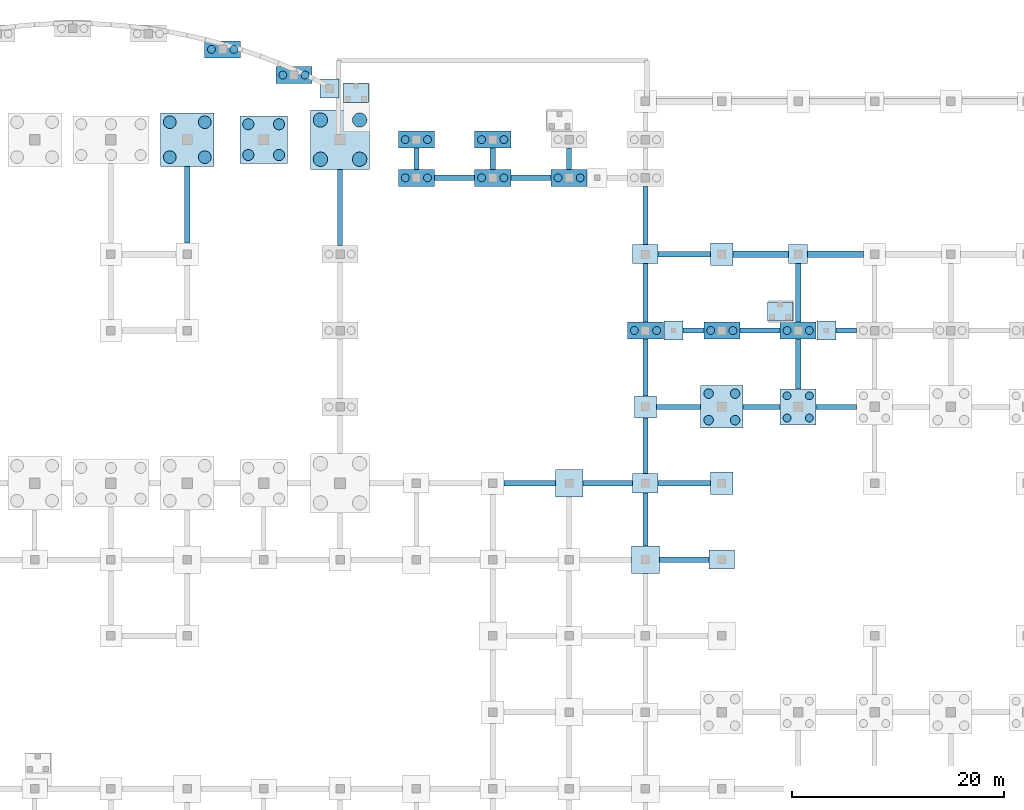
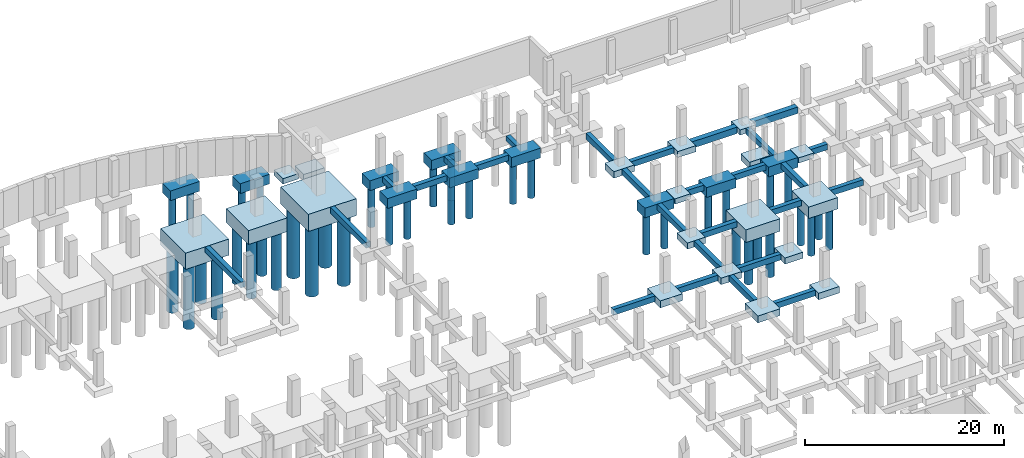
# One storey, part 10 of 22: 56 footings, 40 piles.
"""IFC4 building model written with IfcOpenShell, lengths in metres."""

from ifc_helpers import new_model, si_unit, direction, frame, origin, origin_2d, place, context, subcontext, project, spatial, polyline, rectangle, circle, outline, extrude, material, material_profile, profile_set, type_object, element, save


model = new_model("IFC4")

# Units and contexts
model_context = context("Model", 3, precision=1e-05, world=origin(), true_north=direction((0.0, 1.0)))
body_context = subcontext(model_context, "Body", "Model", "MODEL_VIEW")
ifc_project = project(units=[si_unit("LENGTHUNIT", "METRE"), si_unit("AREAUNIT", "SQUARE_METRE"), si_unit("VOLUMEUNIT", "CUBIC_METRE"), si_unit("PLANEANGLEUNIT", "RADIAN"), si_unit("MASSUNIT", "GRAM", prefix="KILO")], contexts=[model_context])

# Site, building, storey
site_placement = place(None, origin())
site = spatial("IfcSite", under=ifc_project, at=site_placement, CompositionType="ELEMENT")
building_placement = place(site_placement, origin())
building = spatial("IfcBuilding", under=site, at=building_placement, Name="Sardonyx Promenade Sports Hall", CompositionType="ELEMENT")
storey_placement = place(building_placement, frame((0.0, 0.0, -4.5)))
storey = spatial("IfcBuildingStorey", under=building, at=storey_placement, Name="B1", CompositionType="ELEMENT", Elevation=-4.5)

# Footings
ifc_material_1 = material(Name="Concrete C40/50", Category="concrete")
footing_type_1 = type_object("IfcFootingType", Name="Cap_2P_750", PredefinedType="PILE_CAP", material=ifc_material_1)
for number, where, z_axis, x_axis, name in (
    (1, (68.1298828125, 112.910888671875, -1.2001953125), (0.0, 0.0, 1.0), (1.0, 0.0, 0.0), "Pile cap PC02 at (68.13, 112.91)"),
    (2, (74.85595703125, 110.48486328125, -1.2001953125), (0.0, 0.0, 1.0), (1.0, 0.0, 0.0), "Pile cap PC02 at (74.86, 110.48)"),
    (3, (86.39990234375, 100.800048828125, -1.2001953125), (0.0, 0.0, 1.0), (1.0, 0.0, 0.0), "Pile cap PC02 at (86.40, 100.80)"),
    (4, (86.39990234375, 104.39990234375, -1.2001953125), (0.0, 0.0, 1.0), (1.0, 0.0, 0.0), "Pile cap PC02 at (86.40, 104.40)"),
    (5, (93.60009765625, 100.800048828125, -1.2001953125), (0.0, 0.0, 1.0), (1.0, 0.0, 0.0), "Pile cap PC02 at (93.60, 100.80)"),
    (6, (93.60009765625, 104.39990234375, -1.2001953125), (0.0, 0.0, 1.0), (1.0, 0.0, 0.0), "Pile cap PC02 at (93.60, 104.40)"),
    (7, (100.800048828125, 100.800048828125, -1.2001953125), (0.0, 0.0, 1.0), (1.0, 0.0, 0.0), "Pile cap PC02 at (100.80, 100.80)"),
    (8, (108.0, 86.39990234375, -1.2001953125), (0.0, 0.0, 1.0), (1.0, 0.0, 0.0), "Pile cap PC02 at (108.00, 86.40)"),
    (9, (115.199951171875, 86.39990234375, -1.2001953125), (0.0, 0.0, 1.0), (1.0, 0.0, 0.0), "Pile cap PC02 at (115.20, 86.40)"),
    (10, (122.39990234375, 86.39990234375, -1.2001953125), (0.0, 0.0, 1.0), (1.0, 0.0, 0.0), "Pile cap PC02 at (122.40, 86.40)"),
):
    element("IfcFooting", number, at=place(storey_placement, frame(where, z_axis=z_axis, x_axis=x_axis)), inside=storey, type_object=footing_type_1, Name=name, PredefinedType="PILE_CAP", context=body_context, shape_type="SweptSolid", body=[
        extrude(rectangle(XDim=3.39990234375, YDim=1.60009765625, at=origin_2d()), origin(), (0.0, 0.0, 1.0), 1.199951171875),
    ])
ifc_material_2 = material(Name="Concrete C40/50", Category="concrete")
footing_type_2 = type_object("IfcFootingType", Name="Cap_4P_1050", PredefinedType="PILE_CAP", material=ifc_material_2)
footing_1_placement = place(storey_placement, frame((72.0, 104.39990234375, -1.7001953125), z_axis=(0.0, 0.0, 1.0), x_axis=(1.0, 0.0, 0.0)))
element("IfcFooting", 11, at=footing_1_placement, inside=storey, type_object=footing_type_2, Name="Pile cap PC06 at (72.00, 104.40)", PredefinedType="PILE_CAP", context=body_context, shape_type="SweptSolid", body=[
    extrude(rectangle(XDim=4.5, YDim=4.5, at=origin_2d()), origin(), (0.0, 0.0, 1.0), 1.699951171875),
])
ifc_material_3 = material(Name="Concrete C40/50", Category="concrete")
footing_type_3 = type_object("IfcFootingType", Name="Cap_4P_1200", PredefinedType="PILE_CAP", material=ifc_material_3)
footing_2_placement = place(storey_placement, frame((64.800048828125, 104.39990234375, -2.0), z_axis=(0.0, 0.0, 1.0), x_axis=(1.0, 0.0, 0.0)))
element("IfcFooting", 12, at=footing_2_placement, inside=storey, type_object=footing_type_3, Name="Pile cap PC05 at (64.80, 104.40)", PredefinedType="PILE_CAP", context=body_context, shape_type="SweptSolid", body=[
    extrude(rectangle(XDim=5.0400390625, YDim=5.0400390625, at=origin_2d()), origin(), (0.0, 0.0, 1.0), 2.0),
])
ifc_material_4 = material(Name="Concrete C40/50", Category="concrete")
footing_type_4 = type_object("IfcFootingType", Name="Cap_4P_1350", PredefinedType="PILE_CAP", material=ifc_material_4)
footing_3_placement = place(storey_placement, frame((79.199951171875, 104.39990234375, -2.10009765625), z_axis=(0.0, 0.0, 1.0), x_axis=(1.0, 0.0, 0.0)))
element("IfcFooting", 13, at=footing_3_placement, inside=storey, type_object=footing_type_4, Name="Pile cap PC08 at (79.20, 104.40)", PredefinedType="PILE_CAP", context=body_context, shape_type="SweptSolid", body=[
    extrude(rectangle(XDim=5.60009765625, YDim=5.60009765625, at=origin_2d()), origin(), (0.0, 0.0, 1.0), 2.10009765625),
])
ifc_material_5 = material(Name="Concrete C40/50", Category="concrete")
footing_type_5 = type_object("IfcFootingType", Name="Cap_4P_750", PredefinedType="PILE_CAP", material=ifc_material_5)
footing_4_placement = place(storey_placement, frame((122.39990234375, 79.199951171875, -1.39990234375), z_axis=(0.0, 0.0, 1.0), x_axis=(1.0, 0.0, 0.0)))
element("IfcFooting", 14, at=footing_4_placement, inside=storey, type_object=footing_type_5, Name="Pile cap PC04 at (122.40, 79.20)", PredefinedType="PILE_CAP", context=body_context, shape_type="SweptSolid", body=[
    extrude(rectangle(XDim=3.39990234375, YDim=3.39990234375, at=origin_2d()), origin(), (0.0, 0.0, 1.0), 1.39990234375),
])
ifc_material_6 = material(Name="Concrete C40/50", Category="concrete")
footing_type_6 = type_object("IfcFootingType", Name="Cap_4P_900", PredefinedType="PILE_CAP", material=ifc_material_6)
footing_5_placement = place(storey_placement, frame((115.199951171875, 79.199951171875, -1.5498046875), z_axis=(0.0, 0.0, 1.0), x_axis=(1.0, 0.0, 0.0)))
element("IfcFooting", 15, at=footing_5_placement, inside=storey, type_object=footing_type_6, Name="Pile cap PC03 at (115.20, 79.20)", PredefinedType="PILE_CAP", context=body_context, shape_type="SweptSolid", body=[
    extrude(rectangle(XDim=4.0, YDim=4.0, at=origin_2d()), origin(), (0.0, 0.0, 1.0), 1.550048828125),
])
ifc_material_7 = material(Name="Concrete C40/50", Category="concrete")
footing_type_7 = type_object("IfcFootingType", Name="Ftg_Beam_450x650", PredefinedType="FOOTING_BEAM", material=ifc_material_7)
footing_6_placement = place(storey_placement, frame((0.0, 0.0, -0.64990234375)))
element("IfcFooting", 16, at=footing_6_placement, inside=storey, type_object=footing_type_7, Name="Ground tie beam GB03 #339", PredefinedType="FOOTING_BEAM", context=body_context, shape_type="SweptSolid", body=[
    extrude(outline(polyline([(86.175048828125, 101.60009765625), (86.625, 101.60009765625), (86.625, 103.60009765625), (86.175048828125, 103.60009765625), (86.175048828125, 101.60009765625)])), origin(), (0.0, 0.0, 1.0), 0.64990234375),
])
footing_7_placement = place(storey_placement, frame((0.0, 0.0, -0.64990234375)))
element("IfcFooting", 17, at=footing_7_placement, inside=storey, type_object=footing_type_7, Name="Ground tie beam GB03 #361", PredefinedType="FOOTING_BEAM", context=body_context, shape_type="SweptSolid", body=[
    extrude(outline(polyline([(100.574951171875, 101.60009765625), (101.02490234375, 101.60009765625), (101.02490234375, 103.60009765625), (100.574951171875, 103.60009765625), (100.574951171875, 101.60009765625)])), origin(), (0.0, 0.0, 1.0), 0.64990234375),
])
ifc_material_8 = material(Name="Concrete C40/50", Category="concrete")
footing_type_8 = type_object("IfcFootingType", Name="Ftg_Beam_500x700", PredefinedType="FOOTING_BEAM", material=ifc_material_8)
footing_8_placement = place(storey_placement, frame((0.0, 0.0, -0.699951171875)))
element("IfcFooting", 18, at=footing_8_placement, inside=storey, type_object=footing_type_8, Name="Ground tie beam GB01 #149", PredefinedType="FOOTING_BEAM", context=body_context, shape_type="SweptSolid", body=[
    extrude(outline(polyline([(109.300048828125, 64.550048828125), (114.0, 64.550048828125), (114.0, 65.050048828125), (109.300048828125, 65.050048828125), (109.300048828125, 64.550048828125)])), origin(), (0.0, 0.0, 1.0), 0.699951171875),
])
footing_9_placement = place(storey_placement, frame((0.0, 0.0, -0.699951171875)))
element("IfcFooting", 19, at=footing_9_placement, inside=storey, type_object=footing_type_8, Name="Ground tie beam GB01 #164", PredefinedType="FOOTING_BEAM", context=body_context, shape_type="SweptSolid", body=[
    extrude(outline(polyline([(94.64990234375, 71.75), (99.5, 71.75), (99.5, 72.25), (94.64990234375, 72.25), (94.64990234375, 71.75)])), origin(), (0.0, 0.0, 1.0), 0.699951171875),
])
footing_10_placement = place(storey_placement, frame((0.0, 0.0, -0.699951171875)))
element("IfcFooting", 20, at=footing_10_placement, inside=storey, type_object=footing_type_8, Name="Ground tie beam GB01 #165", PredefinedType="FOOTING_BEAM", context=body_context, shape_type="SweptSolid", body=[
    extrude(outline(polyline([(102.10009765625, 71.75), (106.800048828125, 71.75), (106.800048828125, 72.25), (102.10009765625, 72.25), (102.10009765625, 71.75)])), origin(), (0.0, 0.0, 1.0), 0.699951171875),
])
footing_11_placement = place(storey_placement, frame((0.0, 0.0, -0.699951171875)))
element("IfcFooting", 21, at=footing_11_placement, inside=storey, type_object=footing_type_8, Name="Ground tie beam GB01 #166", PredefinedType="FOOTING_BEAM", context=body_context, shape_type="SweptSolid", body=[
    extrude(outline(polyline([(109.199951171875, 71.75), (114.14990234375, 71.75), (114.14990234375, 72.25), (109.199951171875, 72.25), (109.199951171875, 71.75)])), origin(), (0.0, 0.0, 1.0), 0.699951171875),
])
footing_12_placement = place(storey_placement, frame((0.0, 0.0, -0.699951171875)))
element("IfcFooting", 22, at=footing_12_placement, inside=storey, type_object=footing_type_8, Name="Ground tie beam GB01 #172", PredefinedType="FOOTING_BEAM", context=body_context, shape_type="SweptSolid", body=[
    extrude(outline(polyline([(109.050048828125, 78.949951171875), (113.199951171875, 78.949951171875), (113.199951171875, 79.449951171875), (109.050048828125, 79.449951171875), (109.050048828125, 78.949951171875)])), origin(), (0.0, 0.0, 1.0), 0.699951171875),
])
footing_13_placement = place(storey_placement, frame((0.0, 0.0, -0.699951171875)))
element("IfcFooting", 23, at=footing_13_placement, inside=storey, type_object=footing_type_8, Name="Ground tie beam GB01 #173", PredefinedType="FOOTING_BEAM", context=body_context, shape_type="SweptSolid", body=[
    extrude(outline(polyline([(117.199951171875, 78.949951171875), (120.699951171875, 78.949951171875), (120.699951171875, 79.449951171875), (117.199951171875, 79.449951171875), (117.199951171875, 78.949951171875)])), origin(), (0.0, 0.0, 1.0), 0.699951171875),
])
footing_14_placement = place(storey_placement, frame((0.0, 0.0, -0.699951171875)))
element("IfcFooting", 24, at=footing_14_placement, inside=storey, type_object=footing_type_8, Name="Ground tie beam GB01 #174", PredefinedType="FOOTING_BEAM", context=body_context, shape_type="SweptSolid", body=[
    extrude(outline(polyline([(124.10009765625, 78.949951171875), (127.89990234375, 78.949951171875), (127.89990234375, 79.449951171875), (124.10009765625, 79.449951171875), (124.10009765625, 78.949951171875)])), origin(), (0.0, 0.0, 1.0), 0.699951171875),
])
footing_15_placement = place(storey_placement, frame((0.0, 0.0, -0.699951171875)))
element("IfcFooting", 25, at=footing_15_placement, inside=storey, type_object=footing_type_8, Name="Ground tie beam GB01 #185", PredefinedType="FOOTING_BEAM", context=body_context, shape_type="SweptSolid", body=[
    extrude(outline(polyline([(111.550048828125, 86.14990234375), (113.5, 86.14990234375), (113.5, 86.64990234375), (111.550048828125, 86.64990234375), (111.550048828125, 86.14990234375)])), origin(), (0.0, 0.0, 1.0), 0.699951171875),
])
footing_16_placement = place(storey_placement, frame((0.0, 0.0, -0.699951171875)))
element("IfcFooting", 26, at=footing_16_placement, inside=storey, type_object=footing_type_8, Name="Ground tie beam GB01 #186", PredefinedType="FOOTING_BEAM", context=body_context, shape_type="SweptSolid", body=[
    extrude(outline(polyline([(116.89990234375, 86.14990234375), (120.699951171875, 86.14990234375), (120.699951171875, 86.64990234375), (116.89990234375, 86.64990234375), (116.89990234375, 86.14990234375)])), origin(), (0.0, 0.0, 1.0), 0.699951171875),
])
footing_17_placement = place(storey_placement, frame((0.0, 0.0, -0.699951171875)))
element("IfcFooting", 27, at=footing_17_placement, inside=storey, type_object=footing_type_8, Name="Ground tie beam GB01 #187", PredefinedType="FOOTING_BEAM", context=body_context, shape_type="SweptSolid", body=[
    extrude(outline(polyline([(125.949951171875, 86.14990234375), (127.89990234375, 86.14990234375), (127.89990234375, 86.64990234375), (125.949951171875, 86.64990234375), (125.949951171875, 86.14990234375)])), origin(), (0.0, 0.0, 1.0), 0.699951171875),
])
footing_18_placement = place(storey_placement, frame((0.0, 0.0, -0.699951171875)))
element("IfcFooting", 28, at=footing_18_placement, inside=storey, type_object=footing_type_8, Name="Ground tie beam GB01 #198", PredefinedType="FOOTING_BEAM", context=body_context, shape_type="SweptSolid", body=[
    extrude(outline(polyline([(109.199951171875, 93.35009765625), (114.14990234375, 93.35009765625), (114.14990234375, 93.85009765625), (109.199951171875, 93.85009765625), (109.199951171875, 93.35009765625)])), origin(), (0.0, 0.0, 1.0), 0.699951171875),
])
footing_19_placement = place(storey_placement, frame((0.0, 0.0, -0.699951171875)))
element("IfcFooting", 29, at=footing_19_placement, inside=storey, type_object=footing_type_8, Name="Ground tie beam GB01 #206", PredefinedType="FOOTING_BEAM", context=body_context, shape_type="SweptSolid", body=[
    extrude(outline(polyline([(88.10009765625, 100.550048828125), (91.89990234375, 100.550048828125), (91.89990234375, 101.050048828125), (88.10009765625, 101.050048828125), (88.10009765625, 100.550048828125)])), origin(), (0.0, 0.0, 1.0), 0.699951171875),
])
footing_20_placement = place(storey_placement, frame((0.0, 0.0, -0.699951171875)))
element("IfcFooting", 30, at=footing_20_placement, inside=storey, type_object=footing_type_8, Name="Ground tie beam GB01 #207", PredefinedType="FOOTING_BEAM", context=body_context, shape_type="SweptSolid", body=[
    extrude(outline(polyline([(95.300048828125, 100.550048828125), (99.10009765625, 100.550048828125), (99.10009765625, 101.050048828125), (95.300048828125, 101.050048828125), (95.300048828125, 100.550048828125)])), origin(), (0.0, 0.0, 1.0), 0.699951171875),
])
footing_21_placement = place(storey_placement, frame((0.0, 0.0, -0.699951171875)))
element("IfcFooting", 31, at=footing_21_placement, inside=storey, type_object=footing_type_8, Name="Ground tie beam GB01 #313", PredefinedType="FOOTING_BEAM", context=body_context, shape_type="SweptSolid", body=[
    extrude(outline(polyline([(64.550048828125, 94.64990234375), (65.050048828125, 94.64990234375), (65.050048828125, 101.8798828125), (64.550048828125, 101.8798828125), (64.550048828125, 94.64990234375)])), origin(), (0.0, 0.0, 1.0), 0.699951171875),
])
footing_22_placement = place(storey_placement, frame((0.0, 0.0, -0.699951171875)))
element("IfcFooting", 32, at=footing_22_placement, inside=storey, type_object=footing_type_8, Name="Ground tie beam GB01 #331", PredefinedType="FOOTING_BEAM", context=body_context, shape_type="SweptSolid", body=[
    extrude(outline(polyline([(78.949951171875, 94.39990234375), (79.449951171875, 94.39990234375), (79.449951171875, 101.60009765625), (78.949951171875, 101.60009765625), (78.949951171875, 94.39990234375)])), origin(), (0.0, 0.0, 1.0), 0.699951171875),
])
footing_23_placement = place(storey_placement, frame((0.0, 0.0, -0.699951171875)))
element("IfcFooting", 33, at=footing_23_placement, inside=storey, type_object=footing_type_8, Name="Ground tie beam GB01 #350", PredefinedType="FOOTING_BEAM", context=body_context, shape_type="SweptSolid", body=[
    extrude(outline(polyline([(93.35009765625, 101.60009765625), (93.85009765625, 101.60009765625), (93.85009765625, 103.60009765625), (93.35009765625, 103.60009765625), (93.35009765625, 101.60009765625)])), origin(), (0.0, 0.0, 1.0), 0.699951171875),
])
footing_24_placement = place(storey_placement, frame((0.0, 0.0, -0.699951171875)))
element("IfcFooting", 34, at=footing_24_placement, inside=storey, type_object=footing_type_8, Name="Ground tie beam GB01 #371", PredefinedType="FOOTING_BEAM", context=body_context, shape_type="SweptSolid", body=[
    extrude(outline(polyline([(107.75, 66.10009765625), (108.25, 66.10009765625), (108.25, 71.10009765625), (107.75, 71.10009765625), (107.75, 66.10009765625)])), origin(), (0.0, 0.0, 1.0), 0.699951171875),
])
footing_25_placement = place(storey_placement, frame((0.0, 0.0, -0.699951171875)))
element("IfcFooting", 35, at=footing_25_placement, inside=storey, type_object=footing_type_8, Name="Ground tie beam GB01 #372", PredefinedType="FOOTING_BEAM", context=body_context, shape_type="SweptSolid", body=[
    extrude(outline(polyline([(107.75, 72.89990234375), (108.25, 72.89990234375), (108.25, 78.14990234375), (107.75, 78.14990234375), (107.75, 72.89990234375)])), origin(), (0.0, 0.0, 1.0), 0.699951171875),
])
footing_26_placement = place(storey_placement, frame((0.0, 0.0, -0.699951171875)))
element("IfcFooting", 36, at=footing_26_placement, inside=storey, type_object=footing_type_8, Name="Ground tie beam GB01 #373", PredefinedType="FOOTING_BEAM", context=body_context, shape_type="SweptSolid", body=[
    extrude(outline(polyline([(107.75, 80.25), (108.25, 80.25), (108.25, 85.60009765625), (107.75, 85.60009765625), (107.75, 80.25)])), origin(), (0.0, 0.0, 1.0), 0.699951171875),
])
footing_27_placement = place(storey_placement, frame((0.0, 0.0, -0.699951171875)))
element("IfcFooting", 37, at=footing_27_placement, inside=storey, type_object=footing_type_8, Name="Ground tie beam GB01 #374", PredefinedType="FOOTING_BEAM", context=body_context, shape_type="SweptSolid", body=[
    extrude(outline(polyline([(107.75, 87.199951171875), (108.25, 87.199951171875), (108.25, 92.699951171875), (107.75, 92.699951171875), (107.75, 87.199951171875)])), origin(), (0.0, 0.0, 1.0), 0.699951171875),
])
footing_28_placement = place(storey_placement, frame((0.0, 0.0, -0.699951171875)))
element("IfcFooting", 38, at=footing_28_placement, inside=storey, type_object=footing_type_8, Name="Ground tie beam GB01 #375", PredefinedType="FOOTING_BEAM", context=body_context, shape_type="SweptSolid", body=[
    extrude(outline(polyline([(107.75, 94.5), (108.25, 94.5), (108.25, 100.0), (107.75, 100.0), (107.75, 94.5)])), origin(), (0.0, 0.0, 1.0), 0.699951171875),
])
footing_29_placement = place(storey_placement, frame((0.0, 0.0, -0.699951171875)))
element("IfcFooting", 39, at=footing_29_placement, inside=storey, type_object=footing_type_8, Name="Ground tie beam GB01 #385", PredefinedType="FOOTING_BEAM", context=body_context, shape_type="SweptSolid", body=[
    extrude(outline(polyline([(122.14990234375, 80.89990234375), (122.64990234375, 80.89990234375), (122.64990234375, 85.60009765625), (122.14990234375, 85.60009765625), (122.14990234375, 80.89990234375)])), origin(), (0.0, 0.0, 1.0), 0.699951171875),
])
footing_30_placement = place(storey_placement, frame((0.0, 0.0, -0.699951171875)))
element("IfcFooting", 40, at=footing_30_placement, inside=storey, type_object=footing_type_8, Name="Ground tie beam GB01 #386", PredefinedType="FOOTING_BEAM", context=body_context, shape_type="SweptSolid", body=[
    extrude(outline(polyline([(122.14990234375, 87.199951171875), (122.64990234375, 87.199951171875), (122.64990234375, 92.699951171875), (122.14990234375, 92.699951171875), (122.14990234375, 87.199951171875)])), origin(), (0.0, 0.0, 1.0), 0.699951171875),
])
ifc_material_9 = material(Name="Concrete C40/50", Category="concrete")
footing_type_9 = type_object("IfcFootingType", Name="Ftg_Beam_600x800", PredefinedType="FOOTING_BEAM", material=ifc_material_9)
footing_31_placement = place(storey_placement, frame((0.0, 0.0, -0.800048828125)))
element("IfcFooting", 41, at=footing_31_placement, inside=storey, type_object=footing_type_9, Name="Ground tie beam GB02 #199", PredefinedType="FOOTING_BEAM", context=body_context, shape_type="SweptSolid", body=[
    extrude(outline(polyline([(116.25, 93.300048828125), (121.5, 93.300048828125), (121.5, 93.89990234375), (116.25, 93.89990234375), (116.25, 93.300048828125)])), origin(), (0.0, 0.0, 1.0), 0.800048828125),
])
footing_32_placement = place(storey_placement, frame((0.0, 0.0, -0.800048828125)))
element("IfcFooting", 42, at=footing_32_placement, inside=storey, type_object=footing_type_9, Name="Ground tie beam GB02 #200", PredefinedType="FOOTING_BEAM", context=body_context, shape_type="SweptSolid", body=[
    extrude(outline(polyline([(123.300048828125, 93.300048828125), (128.550048828125, 93.300048828125), (128.550048828125, 93.89990234375), (123.300048828125, 93.89990234375), (123.300048828125, 93.300048828125)])), origin(), (0.0, 0.0, 1.0), 0.800048828125),
])
ifc_material_10 = material(Name="Concrete C40/50", Category="concrete")
footing_type_10 = type_object("IfcFootingType", Name="Ftg_Pad_1800", PredefinedType="PAD_FOOTING", material=ifc_material_10)
for number, where, z_axis, x_axis, name in (
    (43, (122.39990234375, 93.60009765625, -0.64990234375), (0.0, 0.0, 1.0), (1.0, 0.0, 0.0), "Pad footing PF01 #4"),
    (44, (110.64990234375, 86.39990234375, -0.64990234375), (0.0, 0.0, 1.0), (1.0, 0.0, 0.0), "Pilaster pad footing #9"),
    (45, (125.050048828125, 86.39990234375, -0.64990234375), (0.0, 0.0, 1.0), (1.0, 0.0, 0.0), "Pilaster pad footing #10"),
    (46, (78.226318359375, 109.2119140625, -0.64990234375), (0.0, 0.0, 1.0), (1.0, 0.0, 0.0), "Bowed corner pad footing WP28"),
):
    element("IfcFooting", number, at=place(storey_placement, frame(where, z_axis=z_axis, x_axis=x_axis)), inside=storey, type_object=footing_type_10, Name=name, PredefinedType="PAD_FOOTING", context=body_context, shape_type="SweptSolid", body=[
        extrude(rectangle(XDim=1.800048828125, YDim=1.800048828125, at=origin_2d()), origin(), (0.0, 0.0, 1.0), 0.64990234375),
    ])
ifc_material_11 = material(Name="Concrete C40/50", Category="concrete")
footing_type_11 = type_object("IfcFootingType", Name="Ftg_Pad_2100", PredefinedType="PAD_FOOTING", material=ifc_material_11)
for number, where, z_axis, x_axis, name in (
    (47, (108.0, 79.199951171875, -0.75), (0.0, 0.0, 1.0), (1.0, 0.0, 0.0), "Rock-bearing pad footing PF02 at (108.00, 79.20)"),
    (48, (115.199951171875, 72.0, -0.75), (0.0, 0.0, 1.0), (1.0, 0.0, 0.0), "Rock-bearing pad footing PF02 at (115.20, 72.00)"),
    (49, (115.199951171875, 93.60009765625, -0.75), (0.0, 0.0, 1.0), (1.0, 0.0, 0.0), "Pad footing PF02 #2"),
):
    element("IfcFooting", number, at=place(storey_placement, frame(where, z_axis=z_axis, x_axis=x_axis)), inside=storey, type_object=footing_type_11, Name=name, PredefinedType="PAD_FOOTING", context=body_context, shape_type="SweptSolid", body=[
        extrude(rectangle(XDim=2.10009765625, YDim=2.10009765625, at=origin_2d()), origin(), (0.0, 0.0, 1.0), 0.75),
    ])
ifc_material_12 = material(Name="Concrete C40/50", Category="concrete")
footing_type_12 = type_object("IfcFootingType", Name="Ftg_Pad_2400x1800", PredefinedType="PAD_FOOTING", material=ifc_material_12)
for number, where, z_axis, x_axis, name in (
    (50, (108.0, 72.0, -0.7998046875), (0.0, 0.0, 1.0), (1.0, 0.0, 0.0), "Rock-bearing pad footing PF03 at (108.00, 72.00)"),
    (51, (108.0, 93.60009765625, -0.7998046875), (0.0, 0.0, 1.0), (1.0, 0.0, 0.0), "Rock-bearing pad footing PF03 at (108.00, 93.60)"),
    (52, (115.199951171875, 64.800048828125, -0.7998046875), (0.0, 0.0, 1.0), (1.0, 0.0, 0.0), "Rock-bearing pad footing PF03 at (115.20, 64.80)"),
    (53, (80.699951171875, 108.800048828125, -0.7998046875), (0.0, 0.0, 1.0), (1.0, 0.0, 0.0), "Ramp landing pad footing #1"),
    (54, (120.699951171875, 88.199951171875, -0.7998046875), (0.0, 0.0, 1.0), (1.0, 0.0, 0.0), "Ramp landing pad footing #4"),
):
    element("IfcFooting", number, at=place(storey_placement, frame(where, z_axis=z_axis, x_axis=x_axis)), inside=storey, type_object=footing_type_12, Name=name, PredefinedType="PAD_FOOTING", context=body_context, shape_type="SweptSolid", body=[
        extrude(rectangle(XDim=2.39990234375, YDim=1.800048828125, at=origin_2d()), origin(), (0.0, 0.0, 1.0), 0.800048828125),
    ])
ifc_material_13 = material(Name="Concrete C40/50", Category="concrete")
footing_type_13 = type_object("IfcFootingType", Name="Ftg_Pad_2600", PredefinedType="PAD_FOOTING", material=ifc_material_13)
for number, where, z_axis, x_axis, name in (
    (55, (100.800048828125, 72.0, -0.85009765625), (0.0, 0.0, 1.0), (1.0, 0.0, 0.0), "Rock-bearing pad footing PF04 at (100.80, 72.00)"),
    (56, (108.0, 64.800048828125, -0.85009765625), (0.0, 0.0, 1.0), (1.0, 0.0, 0.0), "Rock-bearing pad footing PF04 at (108.00, 64.80)"),
):
    element("IfcFooting", number, at=place(storey_placement, frame(where, z_axis=z_axis, x_axis=x_axis)), inside=storey, type_object=footing_type_13, Name=name, PredefinedType="PAD_FOOTING", context=body_context, shape_type="SweptSolid", body=[
        extrude(rectangle(XDim=2.60009765625, YDim=2.60009765625, at=origin_2d()), origin(), (0.0, 0.0, 1.0), 0.85009765625),
    ])

# Piles
ifc_material_14 = material(Name="Concrete C40/50", Category="concrete")
ifc_material_profile_1 = material_profile(ifc_material_14, circle(Radius=0.52490234375, at=origin_2d()))
ifc_profile_set_1 = profile_set([ifc_material_profile_1], Name="Concrete C40/50")
pile_type_1 = type_object("IfcPileType", Name="Pile_BP1050", PredefinedType="BORED", material=ifc_profile_set_1)
for number, where, z_axis, x_axis, name in (
    (57, (70.550048828125, 102.949951171875, -1.60009765625), (0.0, 0.0, -1.0), (1.0, 0.0, 0.0), "Bored pile BP03 #1 under ftg:cap:72.000_104.400"),
    (58, (73.449951171875, 102.949951171875, -1.60009765625), (0.0, 0.0, -1.0), (1.0, 0.0, 0.0), "Bored pile BP03 #2 under ftg:cap:72.000_104.400"),
    (59, (70.550048828125, 105.85009765625, -1.60009765625), (0.0, 0.0, -1.0), (1.0, 0.0, 0.0), "Bored pile BP03 #3 under ftg:cap:72.000_104.400"),
    (60, (73.449951171875, 105.85009765625, -1.60009765625), (0.0, 0.0, -1.0), (1.0, 0.0, 0.0), "Bored pile BP03 #4 under ftg:cap:72.000_104.400"),
):
    element("IfcPile", number, at=place(storey_placement, frame(where, z_axis=z_axis, x_axis=x_axis)), inside=storey, type_object=pile_type_1, Name=name, PredefinedType="BORED", context=body_context, shape_type="SweptSolid", body=[
        extrude(circle(Radius=0.52490234375, at=origin_2d()), origin(), (0.0, 0.0, 1.0), 7.199951171875),
    ])
ifc_material_15 = material(Name="Concrete C40/50", Category="concrete")
ifc_material_profile_2 = material_profile(ifc_material_15, circle(Radius=0.60009765625, at=origin_2d()))
ifc_profile_set_2 = profile_set([ifc_material_profile_2], Name="Concrete C40/50")
pile_type_2 = type_object("IfcPileType", Name="Pile_BP1200", PredefinedType="BORED", material=ifc_profile_set_2)
for number, where, z_axis, x_axis, name in (
    (61, (63.14990234375, 102.75, -1.89990234375), (0.0, 0.0, -1.0), (1.0, 0.0, 0.0), "Bored pile BP06 #1 under ftg:cap:64.800_104.400"),
    (62, (66.449951171875, 102.75, -1.89990234375), (0.0, 0.0, -1.0), (1.0, 0.0, 0.0), "Bored pile BP06 #2 under ftg:cap:64.800_104.400"),
    (63, (63.14990234375, 106.050048828125, -1.89990234375), (0.0, 0.0, -1.0), (1.0, 0.0, 0.0), "Bored pile BP06 #3 under ftg:cap:64.800_104.400"),
    (64, (66.449951171875, 106.050048828125, -1.89990234375), (0.0, 0.0, -1.0), (1.0, 0.0, 0.0), "Bored pile BP06 #4 under ftg:cap:64.800_104.400"),
):
    element("IfcPile", number, at=place(storey_placement, frame(where, z_axis=z_axis, x_axis=x_axis)), inside=storey, type_object=pile_type_2, Name=name, PredefinedType="BORED", context=body_context, shape_type="SweptSolid", body=[
        extrude(circle(Radius=0.60009765625, at=origin_2d()), origin(), (0.0, 0.0, 1.0), 7.89990234375),
    ])
ifc_material_16 = material(Name="Concrete C40/50", Category="concrete")
ifc_material_profile_3 = material_profile(ifc_material_16, circle(Radius=0.675048828125, at=origin_2d()))
ifc_profile_set_3 = profile_set([ifc_material_profile_3], Name="Concrete C40/50")
pile_type_3 = type_object("IfcPileType", Name="Pile_BP1350", PredefinedType="BORED", material=ifc_profile_set_3)
for number, where, z_axis, x_axis, name in (
    (65, (77.35009765625, 102.550048828125, -2.0), (0.0, 0.0, -1.0), (1.0, 0.0, 0.0), "Bored pile BP01 #1 under ftg:cap:79.200_104.400"),
    (66, (81.050048828125, 102.550048828125, -2.0), (0.0, 0.0, -1.0), (1.0, 0.0, 0.0), "Bored pile BP01 #2 under ftg:cap:79.200_104.400"),
    (67, (77.35009765625, 106.25, -2.0), (0.0, 0.0, -1.0), (1.0, 0.0, 0.0), "Bored pile BP01 #3 under ftg:cap:79.200_104.400"),
    (68, (81.050048828125, 106.25, -2.0), (0.0, 0.0, -1.0), (1.0, 0.0, 0.0), "Bored pile BP01 #4 under ftg:cap:79.200_104.400"),
):
    element("IfcPile", number, at=place(storey_placement, frame(where, z_axis=z_axis, x_axis=x_axis)), inside=storey, type_object=pile_type_3, Name=name, PredefinedType="BORED", context=body_context, shape_type="SweptSolid", body=[
        extrude(circle(Radius=0.675048828125, at=origin_2d()), origin(), (0.0, 0.0, 1.0), 8.60009765625),
    ])
ifc_material_17 = material(Name="Concrete C40/50", Category="concrete")
ifc_material_profile_4 = material_profile(ifc_material_17, circle(Radius=0.375, at=origin_2d()))
ifc_profile_set_4 = profile_set([ifc_material_profile_4], Name="Concrete C40/50")
pile_type_4 = type_object("IfcPileType", Name="Pile_BP750", PredefinedType="BORED", material=ifc_profile_set_4)
for number, where, z_axis, x_axis, name in (
    (69, (67.079833984375, 112.910888671875, -1.10009765625), (0.0, 0.0, -1.0), (1.0, 0.0, 0.0), "Bored pile BP02 #1 under ftg:cap:68.130_112.911"),
    (70, (69.179931640625, 112.910888671875, -1.10009765625), (0.0, 0.0, -1.0), (1.0, 0.0, 0.0), "Bored pile BP02 #2 under ftg:cap:68.130_112.911"),
    (71, (73.805908203125, 110.48486328125, -1.10009765625), (0.0, 0.0, -1.0), (1.0, 0.0, 0.0), "Bored pile BP02 #1 under ftg:cap:74.856_110.485"),
    (72, (75.906005859375, 110.48486328125, -1.10009765625), (0.0, 0.0, -1.0), (1.0, 0.0, 0.0), "Bored pile BP02 #2 under ftg:cap:74.856_110.485"),
    (73, (85.35009765625, 100.800048828125, -1.10009765625), (0.0, 0.0, -1.0), (1.0, 0.0, 0.0), "Bored pile BP02 #1 under ftg:cap:86.400_100.800"),
    (74, (87.449951171875, 100.800048828125, -1.10009765625), (0.0, 0.0, -1.0), (1.0, 0.0, 0.0), "Bored pile BP02 #2 under ftg:cap:86.400_100.800"),
    (75, (85.35009765625, 104.39990234375, -1.10009765625), (0.0, 0.0, -1.0), (1.0, 0.0, 0.0), "Bored pile BP02 #1 under ftg:cap:86.400_104.400"),
    (76, (87.449951171875, 104.39990234375, -1.10009765625), (0.0, 0.0, -1.0), (1.0, 0.0, 0.0), "Bored pile BP02 #2 under ftg:cap:86.400_104.400"),
    (77, (92.550048828125, 100.800048828125, -1.10009765625), (0.0, 0.0, -1.0), (1.0, 0.0, 0.0), "Bored pile BP02 #1 under ftg:cap:93.600_100.800"),
    (78, (94.64990234375, 100.800048828125, -1.10009765625), (0.0, 0.0, -1.0), (1.0, 0.0, 0.0), "Bored pile BP02 #2 under ftg:cap:93.600_100.800"),
    (79, (92.550048828125, 104.39990234375, -1.10009765625), (0.0, 0.0, -1.0), (1.0, 0.0, 0.0), "Bored pile BP02 #1 under ftg:cap:93.600_104.400"),
    (80, (94.64990234375, 104.39990234375, -1.10009765625), (0.0, 0.0, -1.0), (1.0, 0.0, 0.0), "Bored pile BP02 #2 under ftg:cap:93.600_104.400"),
    (81, (99.75, 100.800048828125, -1.10009765625), (0.0, 0.0, -1.0), (1.0, 0.0, 0.0), "Bored pile BP02 #1 under ftg:cap:100.800_100.800"),
    (82, (101.85009765625, 100.800048828125, -1.10009765625), (0.0, 0.0, -1.0), (1.0, 0.0, 0.0), "Bored pile BP02 #2 under ftg:cap:100.800_100.800"),
    (83, (106.949951171875, 86.39990234375, -1.10009765625), (0.0, 0.0, -1.0), (1.0, 0.0, 0.0), "Bored pile BP02 #1 under ftg:cap:108.000_86.400"),
    (84, (109.050048828125, 86.39990234375, -1.10009765625), (0.0, 0.0, -1.0), (1.0, 0.0, 0.0), "Bored pile BP02 #2 under ftg:cap:108.000_86.400"),
    (85, (114.14990234375, 86.39990234375, -1.10009765625), (0.0, 0.0, -1.0), (1.0, 0.0, 0.0), "Bored pile BP02 #1 under ftg:cap:115.200_86.400"),
    (86, (116.25, 86.39990234375, -1.10009765625), (0.0, 0.0, -1.0), (1.0, 0.0, 0.0), "Bored pile BP02 #2 under ftg:cap:115.200_86.400"),
    (87, (121.35009765625, 78.14990234375, -1.300048828125), (0.0, 0.0, -1.0), (1.0, 0.0, 0.0), "Bored pile BP02 #1 under ftg:cap:122.400_79.200"),
    (88, (123.449951171875, 78.14990234375, -1.300048828125), (0.0, 0.0, -1.0), (1.0, 0.0, 0.0), "Bored pile BP02 #2 under ftg:cap:122.400_79.200"),
    (89, (121.35009765625, 80.25, -1.300048828125), (0.0, 0.0, -1.0), (1.0, 0.0, 0.0), "Bored pile BP02 #3 under ftg:cap:122.400_79.200"),
    (90, (123.449951171875, 80.25, -1.300048828125), (0.0, 0.0, -1.0), (1.0, 0.0, 0.0), "Bored pile BP02 #4 under ftg:cap:122.400_79.200"),
    (91, (121.35009765625, 86.39990234375, -1.10009765625), (0.0, 0.0, -1.0), (1.0, 0.0, 0.0), "Bored pile BP02 #1 under ftg:cap:122.400_86.400"),
    (92, (123.449951171875, 86.39990234375, -1.10009765625), (0.0, 0.0, -1.0), (1.0, 0.0, 0.0), "Bored pile BP02 #2 under ftg:cap:122.400_86.400"),
):
    element("IfcPile", number, at=place(storey_placement, frame(where, z_axis=z_axis, x_axis=x_axis)), inside=storey, type_object=pile_type_4, Name=name, PredefinedType="BORED", context=body_context, shape_type="SweptSolid", body=[
        extrude(circle(Radius=0.375, at=origin_2d()), origin(), (0.0, 0.0, 1.0), 5.10009765625),
    ])
ifc_material_18 = material(Name="Concrete C40/50", Category="concrete")
ifc_material_profile_5 = material_profile(ifc_material_18, circle(Radius=0.449951171875, at=origin_2d()))
ifc_profile_set_5 = profile_set([ifc_material_profile_5], Name="Concrete C40/50")
pile_type_5 = type_object("IfcPileType", Name="Pile_BP900", PredefinedType="BORED", material=ifc_profile_set_5)
for number, where, z_axis, x_axis, name in (
    (93, (113.949951171875, 77.949951171875, -1.449951171875), (0.0, 0.0, -1.0), (1.0, 0.0, 0.0), "Bored pile BP05 #1 under ftg:cap:115.200_79.200"),
    (94, (116.449951171875, 77.949951171875, -1.449951171875), (0.0, 0.0, -1.0), (1.0, 0.0, 0.0), "Bored pile BP05 #2 under ftg:cap:115.200_79.200"),
    (95, (113.949951171875, 80.449951171875, -1.449951171875), (0.0, 0.0, -1.0), (1.0, 0.0, 0.0), "Bored pile BP05 #3 under ftg:cap:115.200_79.200"),
    (96, (116.449951171875, 80.449951171875, -1.449951171875), (0.0, 0.0, -1.0), (1.0, 0.0, 0.0), "Bored pile BP05 #4 under ftg:cap:115.200_79.200"),
):
    element("IfcPile", number, at=place(storey_placement, frame(where, z_axis=z_axis, x_axis=x_axis)), inside=storey, type_object=pile_type_5, Name=name, PredefinedType="BORED", context=body_context, shape_type="SweptSolid", body=[
        extrude(circle(Radius=0.449951171875, at=origin_2d()), origin(), (0.0, 0.0, 1.0), 5.699951171875),
    ])

save(model, "model.ifc")
